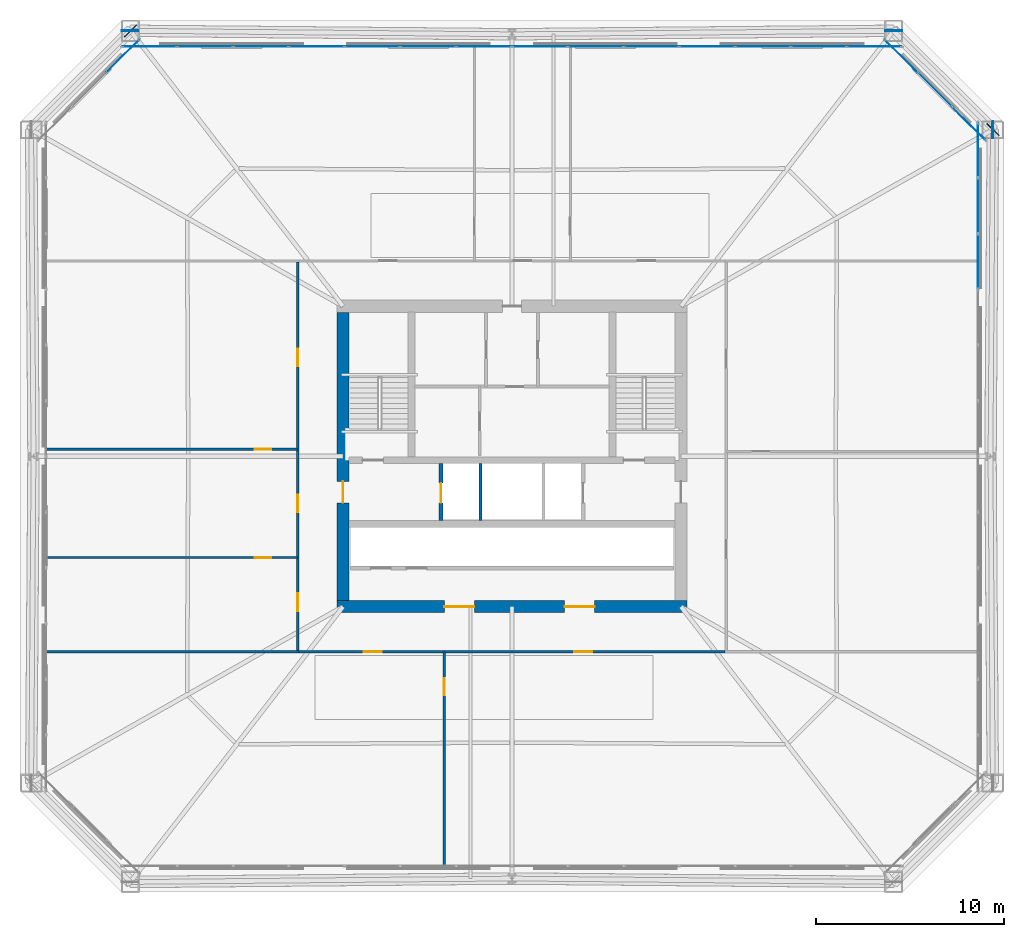
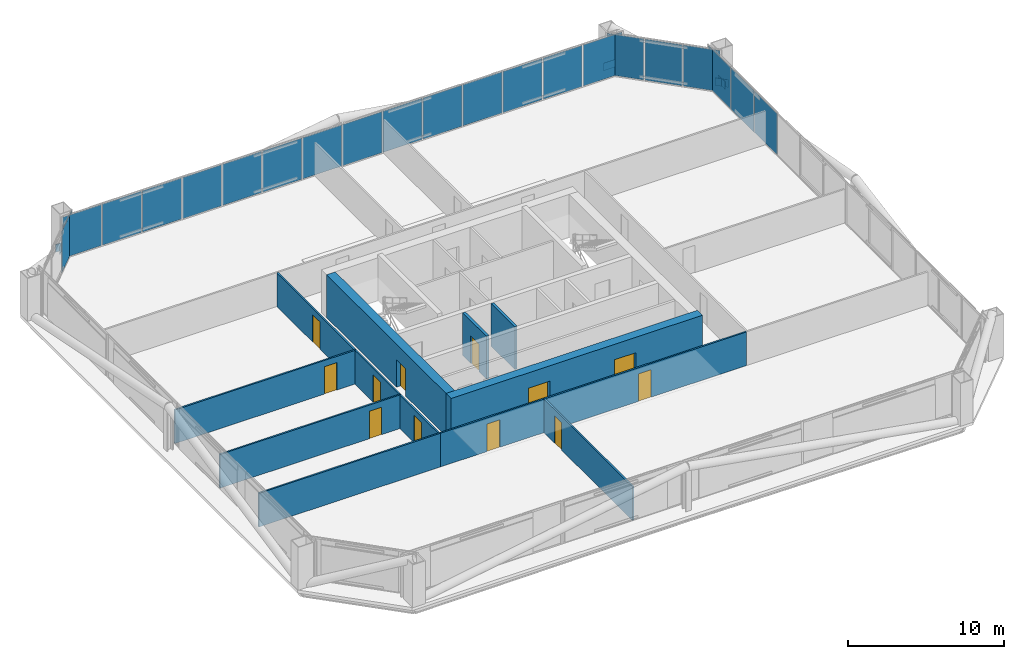
# One storey, part 45 of 50: 26 plates, 12 doors, 10 walls, 12 openings, 4 elements without a shape of their own.
"""IFC4 building model written with IfcOpenShell, lengths in metres."""

from ifc_helpers import new_model, si_unit, direction, frame, frame_2d, origin, origin_2d, place, context, subcontext, project, spatial, rectangle, extrude, material, layer, layer_set, type_object, element, fill, aggregate, save


model = new_model("IFC4")

# Units and contexts
model_context = context("Model", 3, precision=1e-05, world=origin(), true_north=direction((0.0, 1.0)))
body_context = subcontext(model_context, "Body", "Model", "MODEL_VIEW")
ifc_project = project(units=[si_unit("LENGTHUNIT", "METRE"), si_unit("AREAUNIT", "SQUARE_METRE"), si_unit("VOLUMEUNIT", "CUBIC_METRE"), si_unit("PLANEANGLEUNIT", "RADIAN"), si_unit("MASSUNIT", "GRAM", prefix="KILO")], contexts=[model_context])

# Site, building, storey
site_placement = place(None, origin())
site = spatial("IfcSite", under=ifc_project, at=site_placement, CompositionType="ELEMENT")
building_placement = place(site_placement, origin())
building = spatial("IfcBuilding", under=site, at=building_placement, Name="Caelvoria Tower", CompositionType="ELEMENT")
storey_placement = place(building_placement, frame((0.0, 0.0, 71.199951171875)))
storey = spatial("IfcBuildingStorey", under=building, at=storey_placement, Name="L18", CompositionType="ELEMENT", Elevation=71.199951171875)

# Curtain wall, plates
ifc_material_1 = material(Name="Anodised Bronze Aluminium and Low-E Glass", Category="aluminium")
ifc_layer_1 = layer(ifc_material_1, 0.18505859375, Name="Anodised Bronze Aluminium and Low-E Glass")
ifc_layer_set_1 = layer_set([ifc_layer_1], Name="CW System 2 Lower Tower Bronze Unitised Facade - Anodised Bronze Aluminium and Low-E Glass")
curtain_wall_type = type_object("IfcCurtainWallType", Name="CW System 2 Lower Tower Bronze Unitised Facade", PredefinedType="NOTDEFINED", material=ifc_layer_set_1)
curtain_wall_1_placement = place(storey_placement, origin())
curtain_wall_1 = element("IfcCurtainWall", 1, at=curtain_wall_1_placement, inside=storey, type_object=curtain_wall_type, Name="CW-02 Curtain Wall L18-E2", PredefinedType="NOTDEFINED")
ifc_material_2 = material(Name="Anodised Bronze Insulated Aluminium Panel", Category="aluminium")
ifc_layer_2 = layer(ifc_material_2, 0.031982421875, Name="Anodised Bronze Insulated Aluminium Panel")
ifc_layer_set_2 = layer_set([ifc_layer_2], Name="Insulated Bronze Spandrel Curtain Panel 32 - Anodised Bronze Insulated Aluminium Panel")
plate_type_1 = type_object("IfcPlateType", Name="Insulated Bronze Spandrel Curtain Panel 32", PredefinedType="CURTAIN_PANEL", material=ifc_layer_set_2)
plate_1_placement = place(storey_placement, frame((70.820068359375, 42.38330078125, 0.06494140625), z_axis=(0.0, 0.0, 1.0), x_axis=(0.0, 1.0, 0.0)))
plate_1 = element("IfcPlate", 2, at=plate_1_placement, type_object=plate_type_1, Name="CW-02 panel 10.1", PredefinedType="CURTAIN_PANEL", context=body_context, shape_type="SweptSolid", body=[
    extrude(rectangle(XDim=2.901611328125, YDim=0.031982421875, at=origin_2d()), origin(), (0.0, 0.0, 1.0), 3.22998046875),
])
plate_2_placement = place(storey_placement, frame((70.820068359375, 45.35009765625, 0.06494140625), z_axis=(0.0, 0.0, 1.0), x_axis=(0.0, 1.0, 0.0)))
plate_2 = element("IfcPlate", 3, at=plate_2_placement, type_object=plate_type_1, Name="CW-02 panel 11.1", PredefinedType="CURTAIN_PANEL", context=body_context, shape_type="SweptSolid", body=[
    extrude(rectangle(XDim=2.901611328125, YDim=0.031982421875, at=origin_2d()), origin(), (0.0, 0.0, 1.0), 3.22998046875),
])
plate_3_placement = place(storey_placement, frame((70.820068359375, 48.300537109375, 0.06494140625), z_axis=(0.0, 0.0, 1.0), x_axis=(0.0, 1.0, 0.0)))
plate_3 = element("IfcPlate", 4, at=plate_3_placement, type_object=plate_type_1, Name="CW-02 panel 12.1", PredefinedType="CURTAIN_PANEL", context=body_context, shape_type="SweptSolid", body=[
    extrude(rectangle(XDim=2.869140625, YDim=0.031982421875, at=origin_2d()), origin(), (0.0, 0.0, 1.0), 3.22998046875),
])
aggregate(curtain_wall_1, [plate_1, plate_2, plate_3])

curtain_wall_2_placement = place(storey_placement, origin())
curtain_wall_2 = element("IfcCurtainWall", 5, at=curtain_wall_2_placement, inside=storey, type_object=curtain_wall_type, Name="CW-02 Curtain Wall L18-E3", PredefinedType="NOTDEFINED")
plate_4_placement = place(storey_placement, frame((70.312744140625, 49.735595703125, 0.06494140625), z_axis=(0.0, 0.0, 1.0), x_axis=(-0.707106781187, 0.707106781187, 0.0)))
plate_4 = element("IfcPlate", 6, at=plate_4_placement, type_object=plate_type_1, Name="CW-02 panel 1.1", PredefinedType="CURTAIN_PANEL", context=body_context, shape_type="SweptSolid", body=[
    extrude(rectangle(XDim=2.447998046875, YDim=0.031982421875, at=origin_2d()), origin(), (0.0, 0.0, 1.0), 3.22998046875),
])
plate_5_placement = place(storey_placement, frame((68.524169921875, 51.524169921875, 0.06494140625), z_axis=(0.0, 0.0, 1.0), x_axis=(-0.707106781187, 0.707106781187, 0.0)))
plate_5 = element("IfcPlate", 7, at=plate_5_placement, type_object=plate_type_1, Name="CW-02 panel 2.1", PredefinedType="CURTAIN_PANEL", context=body_context, shape_type="SweptSolid", body=[
    extrude(rectangle(XDim=2.48046875, YDim=0.031982421875, at=origin_2d()), origin(), (0.0, 0.0, 1.0), 3.22998046875),
])
plate_6_placement = place(storey_placement, frame((66.735595703125, 53.312744140625, 0.06494140625), z_axis=(0.0, 0.0, 1.0), x_axis=(-0.707106781187, 0.707106781187, 0.0)))
plate_6 = element("IfcPlate", 8, at=plate_6_placement, type_object=plate_type_1, Name="CW-02 panel 3.1", PredefinedType="CURTAIN_PANEL", context=body_context, shape_type="SweptSolid", body=[
    extrude(rectangle(XDim=2.447998046875, YDim=0.031982421875, at=origin_2d()), origin(), (0.0, 0.0, 1.0), 3.22998046875),
])
aggregate(curtain_wall_2, [plate_4, plate_5, plate_6])

curtain_wall_3_placement = place(storey_placement, origin())
curtain_wall_3 = element("IfcCurtainWall", 9, at=curtain_wall_3_placement, inside=storey, type_object=curtain_wall_type, Name="CW-02 Curtain Wall L18-E4", PredefinedType="NOTDEFINED")
plate_7_placement = place(storey_placement, frame((65.298095703125, 53.820068359375, 0.06494140625), z_axis=(0.0, 0.0, 1.0), x_axis=(-1.0, 0.0, 0.0)))
plate_7 = element("IfcPlate", 10, at=plate_7_placement, type_object=plate_type_1, Name="CW-02 panel 1.1", PredefinedType="CURTAIN_PANEL", context=body_context, shape_type="SweptSolid", body=[
    extrude(rectangle(XDim=2.8740234375, YDim=0.031982421875, at=origin_2d()), origin(), (0.0, 0.0, 1.0), 3.22998046875),
])
plate_8_placement = place(storey_placement, frame((62.3427734375, 53.820068359375, 0.06494140625), z_axis=(0.0, 0.0, 1.0), x_axis=(-1.0, 0.0, 0.0)))
plate_8 = element("IfcPlate", 11, at=plate_8_placement, type_object=plate_type_1, Name="CW-02 panel 2.1", PredefinedType="CURTAIN_PANEL", context=body_context, shape_type="SweptSolid", body=[
    extrude(rectangle(XDim=2.906494140625, YDim=0.031982421875, at=origin_2d()), origin(), (0.0, 0.0, 1.0), 3.22998046875),
])
plate_9_placement = place(storey_placement, frame((59.371337890625, 53.820068359375, 0.06494140625), z_axis=(0.0, 0.0, 1.0), x_axis=(-1.0, 0.0, 0.0)))
plate_9 = element("IfcPlate", 12, at=plate_9_placement, type_object=plate_type_1, Name="CW-02 panel 3.1", PredefinedType="CURTAIN_PANEL", context=body_context, shape_type="SweptSolid", body=[
    extrude(rectangle(XDim=2.906494140625, YDim=0.031982421875, at=origin_2d()), origin(), (0.0, 0.0, 1.0), 3.22998046875),
])
plate_10_placement = place(storey_placement, frame((56.39990234375, 53.820068359375, 0.06494140625), z_axis=(0.0, 0.0, 1.0), x_axis=(-1.0, 0.0, 0.0)))
plate_10 = element("IfcPlate", 13, at=plate_10_placement, type_object=plate_type_1, Name="CW-02 panel 4.1", PredefinedType="CURTAIN_PANEL", context=body_context, shape_type="SweptSolid", body=[
    extrude(rectangle(XDim=2.906494140625, YDim=0.031982421875, at=origin_2d()), origin(), (0.0, 0.0, 1.0), 3.22998046875),
])
plate_11_placement = place(storey_placement, frame((53.428466796875, 53.820068359375, 0.06494140625), z_axis=(0.0, 0.0, 1.0), x_axis=(-1.0, 0.0, 0.0)))
plate_11 = element("IfcPlate", 14, at=plate_11_placement, type_object=plate_type_1, Name="CW-02 panel 5.1", PredefinedType="CURTAIN_PANEL", context=body_context, shape_type="SweptSolid", body=[
    extrude(rectangle(XDim=2.906494140625, YDim=0.031982421875, at=origin_2d()), origin(), (0.0, 0.0, 1.0), 3.22998046875),
])
plate_12_placement = place(storey_placement, frame((50.45703125, 53.820068359375, 0.06494140625), z_axis=(0.0, 0.0, 1.0), x_axis=(-1.0, 0.0, 0.0)))
plate_12 = element("IfcPlate", 15, at=plate_12_placement, type_object=plate_type_1, Name="CW-02 panel 6.1", PredefinedType="CURTAIN_PANEL", context=body_context, shape_type="SweptSolid", body=[
    extrude(rectangle(XDim=2.906494140625, YDim=0.031982421875, at=origin_2d()), origin(), (0.0, 0.0, 1.0), 3.22998046875),
])
plate_13_placement = place(storey_placement, frame((47.485595703125, 53.820068359375, 0.06494140625), z_axis=(0.0, 0.0, 1.0), x_axis=(-1.0, 0.0, 0.0)))
plate_13 = element("IfcPlate", 16, at=plate_13_placement, type_object=plate_type_1, Name="CW-02 panel 7.1", PredefinedType="CURTAIN_PANEL", context=body_context, shape_type="SweptSolid", body=[
    extrude(rectangle(XDim=2.906494140625, YDim=0.031982421875, at=origin_2d()), origin(), (0.0, 0.0, 1.0), 3.22998046875),
])
plate_14_placement = place(storey_placement, frame((44.514404296875, 53.820068359375, 0.06494140625), z_axis=(0.0, 0.0, 1.0), x_axis=(-1.0, 0.0, 0.0)))
plate_14 = element("IfcPlate", 17, at=plate_14_placement, type_object=plate_type_1, Name="CW-02 panel 8.1", PredefinedType="CURTAIN_PANEL", context=body_context, shape_type="SweptSolid", body=[
    extrude(rectangle(XDim=2.906494140625, YDim=0.031982421875, at=origin_2d()), origin(), (0.0, 0.0, 1.0), 3.22998046875),
])
plate_15_placement = place(storey_placement, frame((41.54296875, 53.820068359375, 0.06494140625), z_axis=(0.0, 0.0, 1.0), x_axis=(-1.0, 0.0, 0.0)))
plate_15 = element("IfcPlate", 18, at=plate_15_placement, type_object=plate_type_1, Name="CW-02 panel 9.1", PredefinedType="CURTAIN_PANEL", context=body_context, shape_type="SweptSolid", body=[
    extrude(rectangle(XDim=2.906494140625, YDim=0.031982421875, at=origin_2d()), origin(), (0.0, 0.0, 1.0), 3.22998046875),
])
plate_16_placement = place(storey_placement, frame((38.571533203125, 53.820068359375, 0.06494140625), z_axis=(0.0, 0.0, 1.0), x_axis=(-1.0, 0.0, 0.0)))
plate_16 = element("IfcPlate", 19, at=plate_16_placement, type_object=plate_type_1, Name="CW-02 panel 10.1", PredefinedType="CURTAIN_PANEL", context=body_context, shape_type="SweptSolid", body=[
    extrude(rectangle(XDim=2.906494140625, YDim=0.031982421875, at=origin_2d()), origin(), (0.0, 0.0, 1.0), 3.22998046875),
])
plate_17_placement = place(storey_placement, frame((35.60009765625, 53.820068359375, 0.06494140625), z_axis=(0.0, 0.0, 1.0), x_axis=(-1.0, 0.0, 0.0)))
plate_17 = element("IfcPlate", 20, at=plate_17_placement, type_object=plate_type_1, Name="CW-02 panel 11.1", PredefinedType="CURTAIN_PANEL", context=body_context, shape_type="SweptSolid", body=[
    extrude(rectangle(XDim=2.906494140625, YDim=0.031982421875, at=origin_2d()), origin(), (0.0, 0.0, 1.0), 3.22998046875),
])
plate_18_placement = place(storey_placement, frame((32.628662109375, 53.820068359375, 0.06494140625), z_axis=(0.0, 0.0, 1.0), x_axis=(-1.0, 0.0, 0.0)))
plate_18 = element("IfcPlate", 21, at=plate_18_placement, type_object=plate_type_1, Name="CW-02 panel 12.1", PredefinedType="CURTAIN_PANEL", context=body_context, shape_type="SweptSolid", body=[
    extrude(rectangle(XDim=2.906494140625, YDim=0.031982421875, at=origin_2d()), origin(), (0.0, 0.0, 1.0), 3.22998046875),
])
plate_19_placement = place(storey_placement, frame((29.6572265625, 53.820068359375, 0.06494140625), z_axis=(0.0, 0.0, 1.0), x_axis=(-1.0, 0.0, 0.0)))
plate_19 = element("IfcPlate", 22, at=plate_19_placement, type_object=plate_type_1, Name="CW-02 panel 13.1", PredefinedType="CURTAIN_PANEL", context=body_context, shape_type="SweptSolid", body=[
    extrude(rectangle(XDim=2.906494140625, YDim=0.031982421875, at=origin_2d()), origin(), (0.0, 0.0, 1.0), 3.22998046875),
])
plate_20_placement = place(storey_placement, frame((26.701904296875, 53.820068359375, 0.06494140625), z_axis=(0.0, 0.0, 1.0), x_axis=(-1.0, 0.0, 0.0)))
plate_20 = element("IfcPlate", 23, at=plate_20_placement, type_object=plate_type_1, Name="CW-02 panel 14.1", PredefinedType="CURTAIN_PANEL", context=body_context, shape_type="SweptSolid", body=[
    extrude(rectangle(XDim=2.8740234375, YDim=0.031982421875, at=origin_2d()), origin(), (0.0, 0.0, 1.0), 3.22998046875),
])
aggregate(curtain_wall_3, [plate_7, plate_8, plate_9, plate_10, plate_11, plate_12, plate_13, plate_14, plate_15, plate_16, plate_17, plate_18, plate_19, plate_20])

# Curtain wall, plate
curtain_wall_4_placement = place(storey_placement, origin())
curtain_wall_4 = element("IfcCurtainWall", 24, at=curtain_wall_4_placement, inside=storey, type_object=curtain_wall_type, Name="CW-02 Curtain Wall L18-E5", PredefinedType="NOTDEFINED")
plate_21_placement = place(storey_placement, frame((25.264404296875, 53.312744140625, 0.06494140625), z_axis=(0.0, 0.0, 1.0), x_axis=(-0.707106781187, -0.707106781187, 0.0)))
plate_21 = element("IfcPlate", 25, at=plate_21_placement, type_object=plate_type_1, Name="CW-02 panel 1.1", PredefinedType="CURTAIN_PANEL", context=body_context, shape_type="SweptSolid", body=[
    extrude(rectangle(XDim=2.447998046875, YDim=0.031982421875, at=origin_2d()), origin(), (0.0, 0.0, 1.0), 3.22998046875),
])
aggregate(curtain_wall_4, [plate_21])

# Plates
ifc_material_3 = material(Name="Structural Steel ASTM A572 Gr.50", Category="steel")
ifc_layer_3 = layer(ifc_material_3, 0.0400390625, Name="Structural Steel ASTM A572 Gr.50")
ifc_layer_set_3 = layer_set([ifc_layer_3], Name="Megaframe Node Gusset Plate 900x600x40 - Structural Steel ASTM A572 Gr.50")
plate_type_2 = type_object("IfcPlateType", Name="Megaframe Node Gusset Plate 900x600x40", PredefinedType="USERDEFINED", material=ifc_layer_set_3)
for number, where, z_axis, x_axis, name in (
    (26, (71.6044921875, 49.3955078125, 0.02001953125), (0.0, 0.0, 1.0), (-0.708211700313, 0.706000132819, 0.0), "Chamfer Mega Brace Gusset L18 NE"),
    (27, (25.6806640625, 54.663818359375, 0.02001953125), (0.0, 0.0, 1.0), (-0.708211700313, -0.706000132819, 0.0), "Chamfer Mega Brace Gusset L18 NW"),
    (28, (71.6044921875, 49.3955078125, 0.050048828125), (0.0, 0.0, 1.0), (-0.007150553009, -0.999974434469, 0.0), "Megaframe Node Gusset Plate ND-01"),
    (29, (66.3193359375, 54.663818359375, 0.050048828125), (0.0, 0.0, 1.0), (-0.999959053263, -0.009049408655, 0.0), "Megaframe Node Gusset Plate ND-01"),
    (30, (25.6806640625, 54.663818359375, 0.050048828125), (0.0, 0.0, 1.0), (0.999959053263, -0.009049408655, 0.0), "Megaframe Node Gusset Plate ND-01"),
):
    element("IfcPlate", number, at=place(storey_placement, frame(where, z_axis=z_axis, x_axis=x_axis)), inside=storey, type_object=plate_type_2, Name=name, ObjectType="GUSSET_PLATE", PredefinedType="USERDEFINED", context=body_context, shape_type="SweptSolid", body=[
        extrude(rectangle(XDim=0.89990234375, YDim=0.0400390625, at=origin_2d()), origin(), (0.0, 0.0, 1.0), 0.60009765625),
    ])

# Wall
ifc_material_4 = material(Name="Concrete Block and Fireboard Assembly", Category="concrete")
ifc_layer_4 = layer(ifc_material_4, 0.179931640625, Name="Concrete Block and Fireboard Assembly")
ifc_layer_set_4 = layer_set([ifc_layer_4], Name="Fire-Rated Hoistway Partition Wall 180 - Concrete Block and Fireboard Assembly")
wall_type_1 = type_object("IfcWallType", Name="Fire-Rated Hoistway Partition Wall 180", PredefinedType="PARTITIONING", material=ifc_layer_set_4)
wall_1_placement = place(storey_placement, frame((44.320068359375, 28.580078125, 0.0), z_axis=(0.0, 0.0, 1.0), x_axis=(0.0, 1.0, 0.0)))
element("IfcWall", 31, at=wall_1_placement, inside=storey, type_object=wall_type_1, Name="Interior Partition IW-L18-SV1W", PredefinedType="PARTITIONING", context=body_context, shape_type="SweptSolid", body=[
    extrude(rectangle(XDim=3.0400390625, YDim=0.179931640625, at=frame_2d((1.52001953125, 0.0))), origin(), (0.0, 0.0, 1.0), 3.360107421875),
])

# Wall, opening, door
ifc_layer_5 = layer(ifc_material_4, 0.199951171875, Name="Concrete Block and Fireboard Assembly")
ifc_layer_set_5 = layer_set([ifc_layer_5], Name="Fire-Rated Shaft and Core Partition Wall 200 - Concrete Block and Fireboard Assembly")
wall_type_2 = type_object("IfcWallType", Name="Fire-Rated Shaft and Core Partition Wall 200", PredefinedType="PARTITIONING", material=ifc_layer_set_5)
wall_2_placement = place(storey_placement, frame((42.219970703125, 28.580078125, 0.0), z_axis=(0.0, 0.0, 1.0), x_axis=(0.0, 1.0, 0.0)))
wall_2 = element("IfcWall", 32, at=wall_2_placement, inside=storey, type_object=wall_type_2, Name="Interior Partition IW-L18-LF1W", PredefinedType="PARTITIONING", context=body_context, shape_type="SweptSolid", body=[
    extrude(rectangle(XDim=3.0400390625, YDim=0.199951171875, at=frame_2d((1.52001953125, 0.0))), origin(), (0.0, 0.0, 1.0), 3.360107421875),
])
opening_1_placement = place(wall_2_placement, frame((0.949951171875, 0.0, 0.0)))
opening_1 = element("IfcOpeningElement", 33, at=opening_1_placement, cuts=wall_2, Name="Opening LD-01", PredefinedType="OPENING", context=body_context, shape_type="SweptSolid", body=[
    extrude(rectangle(XDim=1.050048828125, YDim=2.14990234375, at=frame_2d((0.52490234375, 1.074951171875))), frame((0.0, 0.10986328125, 0.0), z_axis=(0.0, -1.0, 0.0), x_axis=(1.0, 0.0, 0.0)), (0.0, 0.0, 1.0), 0.219970703125),
])
ifc_material_5 = material(Name="Brushed Bronze Stainless Sliding Landing Door", Category="aluminium")
door_type_1 = type_object("IfcDoorType", Name="Lift Landing Sliding Door 1100x2150", OperationType="NOTDEFINED", PredefinedType="DOOR", material=ifc_material_5)
door_1_placement = place(opening_1_placement, origin())
door_1 = element("IfcDoor", 34, at=door_1_placement, inside=storey, type_object=door_type_1, Name="Interior Door LD-L18-LF1", OperationType="SLIDING_TO_LEFT", OverallHeight=2.14990234375, OverallWidth=1.050048828125, PredefinedType="DOOR", context=body_context, shape_type="SweptSolid", body=[
    extrude(rectangle(XDim=1.050048828125, YDim=2.14990234375, at=frame_2d((0.52490234375, 1.074951171875))), frame((0.0, 0.02490234375, 0.0), z_axis=(0.0, -1.0, 0.0), x_axis=(1.0, 0.0, 0.0)), (0.0, 0.0, 1.0), 0.050048828125),
])
fill(opening_1, door_1)

# Wall, openings, doors
ifc_material_6 = material(Name="Concrete C60/75", Category="concrete")
ifc_layer_6 = layer(ifc_material_6, 0.64990234375, Name="Concrete C60/75")
ifc_layer_set_6 = layer_set([ifc_layer_6], Name="Lower Core Shear Wall 650 - Concrete C60/75")
wall_type_3 = type_object("IfcWallType", Name="Lower Core Shear Wall 650", PredefinedType="SHEAR", material=ifc_layer_set_6)
wall_3_placement = place(storey_placement, frame((36.675048828125, 24.0, 0.0), z_axis=(0.0, 0.0, 1.0), x_axis=(1.0, 0.0, 0.0)))
wall_3 = element("IfcWall", 35, at=wall_3_placement, inside=storey, type_object=wall_type_3, Name="Core Shear Wall L18 S", PredefinedType="SHEAR", context=body_context, shape_type="SweptSolid", body=[
    extrude(rectangle(XDim=18.64990234375, YDim=0.64990234375, at=frame_2d((9.324951171875, 0.0))), origin(), (0.0, 0.0, 1.0), 3.360107421875),
])
opening_2_placement = place(wall_3_placement, frame((5.72509765625, 0.0, 0.0)))
opening_2 = element("IfcOpeningElement", 36, at=opening_2_placement, cuts=wall_3, Name="Opening ID-08", PredefinedType="OPENING", context=body_context, shape_type="SweptSolid", body=[
    extrude(rectangle(XDim=1.60009765625, YDim=2.14990234375, at=frame_2d((0.800048828125, 1.074951171875))), frame((0.0, 0.3349609375, 0.0), z_axis=(0.0, -1.0, 0.0), x_axis=(1.0, 0.0, 0.0)), (0.0, 0.0, 1.0), 0.669921875),
])
opening_3_placement = place(wall_3_placement, frame((12.125, 0.0, 0.0)))
opening_3 = element("IfcOpeningElement", 37, at=opening_3_placement, cuts=wall_3, Name="Opening ID-08", PredefinedType="OPENING", context=body_context, shape_type="SweptSolid", body=[
    extrude(rectangle(XDim=1.60009765625, YDim=2.14990234375, at=frame_2d((0.800048828125, 1.074951171875))), frame((0.0, 0.3349609375, 0.0), z_axis=(0.0, -1.0, 0.0), x_axis=(1.0, 0.0, 0.0)), (0.0, 0.0, 1.0), 0.669921875),
])
ifc_material_7 = material(Name="Bronze-Framed Fire-Rated Glazed Double Door", Category="aluminium")
door_type_2 = type_object("IfcDoorType", Name="Double Lobby Glazed Door 1600x2200", OperationType="NOTDEFINED", PredefinedType="DOOR", material=ifc_material_7)
door_2_placement = place(opening_2_placement, origin())
door_2 = element("IfcDoor", 38, at=door_2_placement, inside=storey, type_object=door_type_2, Name="Core Door DR-L18-LLOB-S1", OperationType="DOUBLE_DOOR_SINGLE_SWING", OverallHeight=2.14990234375, OverallWidth=1.60009765625, PredefinedType="DOOR", context=body_context, shape_type="SweptSolid", body=[
    extrude(rectangle(XDim=1.60009765625, YDim=2.14990234375, at=frame_2d((0.800048828125, 1.074951171875))), frame((0.0, 0.02490234375, 0.0), z_axis=(0.0, -1.0, 0.0), x_axis=(1.0, 0.0, 0.0)), (0.0, 0.0, 1.0), 0.050048828125),
])
fill(opening_2, door_2)
door_3_placement = place(opening_3_placement, origin())
door_3 = element("IfcDoor", 39, at=door_3_placement, inside=storey, type_object=door_type_2, Name="Core Door DR-L18-LLOB-S2", OperationType="DOUBLE_DOOR_SINGLE_SWING", OverallHeight=2.14990234375, OverallWidth=1.60009765625, PredefinedType="DOOR", context=body_context, shape_type="SweptSolid", body=[
    extrude(rectangle(XDim=1.60009765625, YDim=2.14990234375, at=frame_2d((0.800048828125, 1.074951171875))), frame((0.0, 0.02490234375, 0.0), z_axis=(0.0, -1.0, 0.0), x_axis=(1.0, 0.0, 0.0)), (0.0, 0.0, 1.0), 0.050048828125),
])
fill(opening_3, door_3)

# Wall, opening, door
wall_4_placement = place(storey_placement, frame((37.0, 24.324951171875, 0.0), z_axis=(0.0, 0.0, 1.0), x_axis=(0.0, 1.0, 0.0)))
wall_4 = element("IfcWall", 40, at=wall_4_placement, inside=storey, type_object=wall_type_3, Name="Core Shear Wall L18 W", PredefinedType="SHEAR", context=body_context, shape_type="SweptSolid", body=[
    extrude(rectangle(XDim=15.35009765625, YDim=0.64990234375, at=frame_2d((7.675048828125, 0.0))), origin(), (0.0, 0.0, 1.0), 3.360107421875),
])
opening_4_placement = place(wall_4_placement, frame((5.199951171875, 0.0, 0.0)))
opening_4 = element("IfcOpeningElement", 41, at=opening_4_placement, cuts=wall_4, Name="Opening ID-02", PredefinedType="OPENING", context=body_context, shape_type="SweptSolid", body=[
    extrude(rectangle(XDim=1.14990234375, YDim=2.14990234375, at=frame_2d((0.574951171875, 1.074951171875))), frame((0.0, 0.3349609375, 0.0), z_axis=(0.0, -1.0, 0.0), x_axis=(1.0, 0.0, 0.0)), (0.0, 0.0, 1.0), 0.669921875),
])
ifc_material_8 = material(Name="Painted Hollow Steel Fire Door", Category="steel")
door_type_3 = type_object("IfcDoorType", Name="Fire Door FD60S 1150x2150", OperationType="NOTDEFINED", PredefinedType="DOOR", material=ifc_material_8)
door_4_placement = place(opening_4_placement, origin())
door_4 = element("IfcDoor", 42, at=door_4_placement, inside=storey, type_object=door_type_3, Name="Core Door DR-L18-FFLW-OUT", OperationType="SINGLE_SWING_LEFT", OverallHeight=2.14990234375, OverallWidth=1.14990234375, PredefinedType="DOOR", context=body_context, shape_type="SweptSolid", body=[
    extrude(rectangle(XDim=1.14990234375, YDim=2.14990234375, at=frame_2d((0.574951171875, 1.074951171875))), frame((0.0, 0.02490234375, 0.0), z_axis=(0.0, -1.0, 0.0), x_axis=(1.0, 0.0, 0.0)), (0.0, 0.0, 1.0), 0.050048828125),
])
fill(opening_4, door_4)

ifc_material_9 = material(Name="Acoustic Gypsum Board on Light-Gauge Stud", Category="gypsum")
ifc_layer_7 = layer(ifc_material_9, 0.1201171875, Name="Acoustic Gypsum Board on Light-Gauge Stud")
ifc_layer_set_7 = layer_set([ifc_layer_7], Name="Tenant Suite Acoustic Partition Wall 120 - Acoustic Gypsum Board on Light-Gauge Stud")
wall_type_4 = type_object("IfcWallType", Name="Tenant Suite Acoustic Partition Wall 120", PredefinedType="PARTITIONING", material=ifc_layer_set_7)
wall_5_placement = place(storey_placement, frame((42.38671875, 21.590087890625, 0.0), z_axis=(0.0, 0.0, 1.0), x_axis=(0.0, -1.0, 0.0)))
wall_5 = element("IfcWall", 43, at=wall_5_placement, inside=storey, type_object=wall_type_4, Name="Interior Partition IW-L18-SD-00-0", PredefinedType="PARTITIONING", context=body_context, shape_type="SweptSolid", body=[
    extrude(rectangle(XDim=11.41015625, YDim=0.1201171875, at=frame_2d((5.705078125, 0.0))), origin(), (0.0, 0.0, 1.0), 2.64013671875),
])
opening_5_placement = place(wall_5_placement, frame((1.39990234375, 0.0, 0.0)))
opening_5 = element("IfcOpeningElement", 44, at=opening_5_placement, cuts=wall_5, Name="Opening ID-06", PredefinedType="OPENING", context=body_context, shape_type="SweptSolid", body=[
    extrude(rectangle(XDim=0.89990234375, YDim=2.14990234375, at=frame_2d((0.449951171875, 1.074951171875))), frame((0.0, 0.070068359375, 0.0), z_axis=(0.0, -1.0, 0.0), x_axis=(1.0, 0.0, 0.0)), (0.0, 0.0, 1.0), 0.14013671875),
])
ifc_material_10 = material(Name="Engineered Andean Oak Veneer Door", Category="wood")
door_type_4 = type_object("IfcDoorType", Name="Interior Timber Door 900x2150", OperationType="NOTDEFINED", PredefinedType="DOOR", material=ifc_material_10)
door_5_placement = place(opening_5_placement, origin())
door_5 = element("IfcDoor", 45, at=door_5_placement, inside=storey, type_object=door_type_4, Name="Interior Door DR-L18-SM-00-0", OperationType="SINGLE_SWING_RIGHT", OverallHeight=2.14990234375, OverallWidth=0.89990234375, PredefinedType="DOOR", context=body_context, shape_type="SweptSolid", body=[
    extrude(rectangle(XDim=0.89990234375, YDim=2.14990234375, at=frame_2d((0.449951171875, 1.074951171875))), frame((0.0, 0.02490234375, 0.0), z_axis=(0.0, -1.0, 0.0), x_axis=(1.0, 0.0, 0.0)), (0.0, 0.0, 1.0), 0.050048828125),
])
fill(opening_5, door_5)

# Wall, openings, doors
wall_6_placement = place(storey_placement, frame((34.64990234375, 21.590087890625, 0.0), z_axis=(0.0, 0.0, 1.0), x_axis=(1.0, 0.0, 0.0)))
wall_6 = element("IfcWall", 46, at=wall_6_placement, inside=storey, type_object=wall_type_4, Name="Interior Partition IW-L18-SCW-0", PredefinedType="PARTITIONING", context=body_context, shape_type="SweptSolid", body=[
    extrude(rectangle(XDim=22.7001953125, YDim=0.1201171875, at=frame_2d((11.35009765625, 0.0))), origin(), (0.0, 0.0, 1.0), 2.64013671875),
])
opening_6_placement = place(wall_6_placement, frame((3.46337890625, 0.0, 0.0)))
opening_6 = element("IfcOpeningElement", 47, at=opening_6_placement, cuts=wall_6, Name="Opening ID-05", PredefinedType="OPENING", context=body_context, shape_type="SweptSolid", body=[
    extrude(rectangle(XDim=0.949951171875, YDim=2.14990234375, at=frame_2d((0.47509765625, 1.074951171875))), frame((0.0, 0.070068359375, 0.0), z_axis=(0.0, -1.0, 0.0), x_axis=(1.0, 0.0, 0.0)), (0.0, 0.0, 1.0), 0.14013671875),
])
opening_7_placement = place(wall_6_placement, frame((14.67333984375, 0.0, 0.0)))
opening_7 = element("IfcOpeningElement", 48, at=opening_7_placement, cuts=wall_6, Name="Opening ID-05", PredefinedType="OPENING", context=body_context, shape_type="SweptSolid", body=[
    extrude(rectangle(XDim=0.949951171875, YDim=2.14990234375, at=frame_2d((0.47509765625, 1.074951171875))), frame((0.0, 0.070068359375, 0.0), z_axis=(0.0, -1.0, 0.0), x_axis=(1.0, 0.0, 0.0)), (0.0, 0.0, 1.0), 0.14013671875),
])
door_type_5 = type_object("IfcDoorType", Name="Interior Timber Door 950x2150", OperationType="NOTDEFINED", PredefinedType="DOOR", material=ifc_material_10)
door_6_placement = place(opening_6_placement, origin())
door_6 = element("IfcDoor", 49, at=door_6_placement, inside=storey, type_object=door_type_5, Name="Interior Door DR-L18-SC-00-0", OperationType="SINGLE_SWING_LEFT", OverallHeight=2.14990234375, OverallWidth=0.949951171875, PredefinedType="DOOR", context=body_context, shape_type="SweptSolid", body=[
    extrude(rectangle(XDim=0.949951171875, YDim=2.14990234375, at=frame_2d((0.47509765625, 1.074951171875))), frame((0.0, 0.02490234375, 0.0), z_axis=(0.0, -1.0, 0.0), x_axis=(1.0, 0.0, 0.0)), (0.0, 0.0, 1.0), 0.050048828125),
])
fill(opening_6, door_6)
door_7_placement = place(opening_7_placement, origin())
door_7 = element("IfcDoor", 50, at=door_7_placement, inside=storey, type_object=door_type_5, Name="Interior Door DR-L18-SC-01-0", OperationType="SINGLE_SWING_RIGHT", OverallHeight=2.14990234375, OverallWidth=0.949951171875, PredefinedType="DOOR", context=body_context, shape_type="SweptSolid", body=[
    extrude(rectangle(XDim=0.949951171875, YDim=2.14990234375, at=frame_2d((0.47509765625, 1.074951171875))), frame((0.0, 0.02490234375, 0.0), z_axis=(0.0, -1.0, 0.0), x_axis=(1.0, 0.0, 0.0)), (0.0, 0.0, 1.0), 0.050048828125),
])
fill(opening_7, door_7)

# Wall, opening, door
wall_7_placement = place(storey_placement, frame((34.590087890625, 26.609619140625, 0.0), z_axis=(0.0, 0.0, 1.0), x_axis=(-1.0, 0.0, 0.0)))
wall_7 = element("IfcWall", 51, at=wall_7_placement, inside=storey, type_object=wall_type_4, Name="Interior Partition IW-L18-WD-00-0", PredefinedType="PARTITIONING", context=body_context, shape_type="SweptSolid", body=[
    extrude(rectangle(XDim=13.41015625, YDim=0.1201171875, at=frame_2d((6.705078125, 0.0))), origin(), (0.0, 0.0, 1.0), 2.64013671875),
])
opening_8_placement = place(wall_7_placement, frame((1.39990234375, 0.0, 0.0)))
opening_8 = element("IfcOpeningElement", 52, at=opening_8_placement, cuts=wall_7, Name="Opening ID-06", PredefinedType="OPENING", context=body_context, shape_type="SweptSolid", body=[
    extrude(rectangle(XDim=0.89990234375, YDim=2.14990234375, at=frame_2d((0.449951171875, 1.074951171875))), frame((0.0, 0.070068359375, 0.0), z_axis=(0.0, -1.0, 0.0), x_axis=(1.0, 0.0, 0.0)), (0.0, 0.0, 1.0), 0.14013671875),
])
door_8_placement = place(opening_8_placement, origin())
door_8 = element("IfcDoor", 53, at=door_8_placement, inside=storey, type_object=door_type_4, Name="Interior Door DR-L18-WM-00-0", OperationType="SINGLE_SWING_RIGHT", OverallHeight=2.14990234375, OverallWidth=0.89990234375, PredefinedType="DOOR", context=body_context, shape_type="SweptSolid", body=[
    extrude(rectangle(XDim=0.89990234375, YDim=2.14990234375, at=frame_2d((0.449951171875, 1.074951171875))), frame((0.0, 0.02490234375, 0.0), z_axis=(0.0, -1.0, 0.0), x_axis=(1.0, 0.0, 0.0)), (0.0, 0.0, 1.0), 0.050048828125),
])
fill(opening_8, door_8)

wall_8_placement = place(storey_placement, frame((34.590087890625, 32.378173828125, 0.0), z_axis=(0.0, 0.0, 1.0), x_axis=(-1.0, 0.0, 0.0)))
wall_8 = element("IfcWall", 54, at=wall_8_placement, inside=storey, type_object=wall_type_4, Name="Interior Partition IW-L18-WD-01-0", PredefinedType="PARTITIONING", context=body_context, shape_type="SweptSolid", body=[
    extrude(rectangle(XDim=13.41015625, YDim=0.1201171875, at=frame_2d((6.705078125, 0.0))), origin(), (0.0, 0.0, 1.0), 2.64013671875),
])
opening_9_placement = place(wall_8_placement, frame((1.39990234375, 0.0, 0.0)))
opening_9 = element("IfcOpeningElement", 55, at=opening_9_placement, cuts=wall_8, Name="Opening ID-06", PredefinedType="OPENING", context=body_context, shape_type="SweptSolid", body=[
    extrude(rectangle(XDim=0.89990234375, YDim=2.14990234375, at=frame_2d((0.449951171875, 1.074951171875))), frame((0.0, 0.070068359375, 0.0), z_axis=(0.0, -1.0, 0.0), x_axis=(1.0, 0.0, 0.0)), (0.0, 0.0, 1.0), 0.14013671875),
])
door_9_placement = place(opening_9_placement, origin())
door_9 = element("IfcDoor", 56, at=door_9_placement, inside=storey, type_object=door_type_4, Name="Interior Door DR-L18-WM-01-0", OperationType="SINGLE_SWING_LEFT", OverallHeight=2.14990234375, OverallWidth=0.89990234375, PredefinedType="DOOR", context=body_context, shape_type="SweptSolid", body=[
    extrude(rectangle(XDim=0.89990234375, YDim=2.14990234375, at=frame_2d((0.449951171875, 1.074951171875))), frame((0.0, 0.02490234375, 0.0), z_axis=(0.0, -1.0, 0.0), x_axis=(1.0, 0.0, 0.0)), (0.0, 0.0, 1.0), 0.050048828125),
])
fill(opening_9, door_9)

# Wall, openings, doors
wall_9_placement = place(storey_placement, frame((34.590087890625, 21.64990234375, 0.0), z_axis=(0.0, 0.0, 1.0), x_axis=(0.0, 1.0, 0.0)))
wall_9 = element("IfcWall", 57, at=wall_9_placement, inside=storey, type_object=wall_type_4, Name="Interior Partition IW-L18-WCW-0", PredefinedType="PARTITIONING", context=body_context, shape_type="SweptSolid", body=[
    extrude(rectangle(XDim=20.7001953125, YDim=0.1201171875, at=frame_2d((10.35009765625, 0.0))), origin(), (0.0, 0.0, 1.0), 2.64013671875),
])
opening_10_placement = place(wall_9_placement, frame((2.104736328125, 0.0, 0.0)))
opening_10 = element("IfcOpeningElement", 58, at=opening_10_placement, cuts=wall_9, Name="Opening ID-05", PredefinedType="OPENING", context=body_context, shape_type="SweptSolid", body=[
    extrude(rectangle(XDim=0.949951171875, YDim=2.14990234375, at=frame_2d((0.47509765625, 1.074951171875))), frame((0.0, 0.070068359375, 0.0), z_axis=(0.0, -1.0, 0.0), x_axis=(1.0, 0.0, 0.0)), (0.0, 0.0, 1.0), 0.14013671875),
])
opening_11_placement = place(wall_9_placement, frame((7.368896484375, 0.0, 0.0)))
opening_11 = element("IfcOpeningElement", 59, at=opening_11_placement, cuts=wall_9, Name="Opening ID-05", PredefinedType="OPENING", context=body_context, shape_type="SweptSolid", body=[
    extrude(rectangle(XDim=0.949951171875, YDim=2.14990234375, at=frame_2d((0.47509765625, 1.074951171875))), frame((0.0, 0.070068359375, 0.0), z_axis=(0.0, -1.0, 0.0), x_axis=(1.0, 0.0, 0.0)), (0.0, 0.0, 1.0), 0.14013671875),
])
opening_12_placement = place(wall_9_placement, frame((15.13916015625, 0.0, 0.0)))
opening_12 = element("IfcOpeningElement", 60, at=opening_12_placement, cuts=wall_9, Name="Opening ID-05", PredefinedType="OPENING", context=body_context, shape_type="SweptSolid", body=[
    extrude(rectangle(XDim=0.949951171875, YDim=2.14990234375, at=frame_2d((0.47509765625, 1.074951171875))), frame((0.0, 0.070068359375, 0.0), z_axis=(0.0, -1.0, 0.0), x_axis=(1.0, 0.0, 0.0)), (0.0, 0.0, 1.0), 0.14013671875),
])
door_10_placement = place(opening_10_placement, origin())
door_10 = element("IfcDoor", 61, at=door_10_placement, inside=storey, type_object=door_type_5, Name="Interior Door DR-L18-WC-00-0", OperationType="SINGLE_SWING_LEFT", OverallHeight=2.14990234375, OverallWidth=0.949951171875, PredefinedType="DOOR", context=body_context, shape_type="SweptSolid", body=[
    extrude(rectangle(XDim=0.949951171875, YDim=2.14990234375, at=frame_2d((0.47509765625, 1.074951171875))), frame((0.0, 0.02490234375, 0.0), z_axis=(0.0, -1.0, 0.0), x_axis=(1.0, 0.0, 0.0)), (0.0, 0.0, 1.0), 0.050048828125),
])
fill(opening_10, door_10)
door_11_placement = place(opening_11_placement, origin())
door_11 = element("IfcDoor", 62, at=door_11_placement, inside=storey, type_object=door_type_5, Name="Interior Door DR-L18-WC-01-0", OperationType="SINGLE_SWING_RIGHT", OverallHeight=2.14990234375, OverallWidth=0.949951171875, PredefinedType="DOOR", context=body_context, shape_type="SweptSolid", body=[
    extrude(rectangle(XDim=0.949951171875, YDim=2.14990234375, at=frame_2d((0.47509765625, 1.074951171875))), frame((0.0, 0.02490234375, 0.0), z_axis=(0.0, -1.0, 0.0), x_axis=(1.0, 0.0, 0.0)), (0.0, 0.0, 1.0), 0.050048828125),
])
fill(opening_11, door_11)
door_12_placement = place(opening_12_placement, origin())
door_12 = element("IfcDoor", 63, at=door_12_placement, inside=storey, type_object=door_type_5, Name="Interior Door DR-L18-WC-02-0", OperationType="SINGLE_SWING_LEFT", OverallHeight=2.14990234375, OverallWidth=0.949951171875, PredefinedType="DOOR", context=body_context, shape_type="SweptSolid", body=[
    extrude(rectangle(XDim=0.949951171875, YDim=2.14990234375, at=frame_2d((0.47509765625, 1.074951171875))), frame((0.0, 0.02490234375, 0.0), z_axis=(0.0, -1.0, 0.0), x_axis=(1.0, 0.0, 0.0)), (0.0, 0.0, 1.0), 0.050048828125),
])
fill(opening_12, door_12)

# Wall
wall_10_placement = place(storey_placement, frame((34.64990234375, 21.590087890625, 0.0), z_axis=(0.0, 0.0, 1.0), x_axis=(-1.0, 0.0, 0.0)))
element("IfcWall", 64, at=wall_10_placement, inside=storey, type_object=wall_type_4, Name="Interior Partition IW-L18-BSW-0", PredefinedType="PARTITIONING", context=body_context, shape_type="SweptSolid", body=[
    extrude(rectangle(XDim=13.469970703125, YDim=0.1201171875, at=frame_2d((6.73486328125, 0.0))), origin(), (0.0, 0.0, 1.0), 2.64013671875),
])

save(model, "model.ifc")
